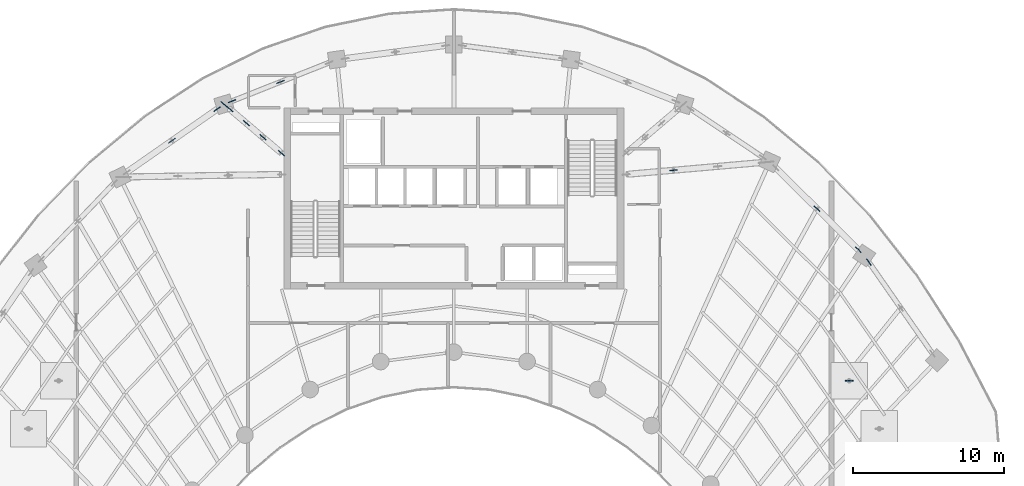
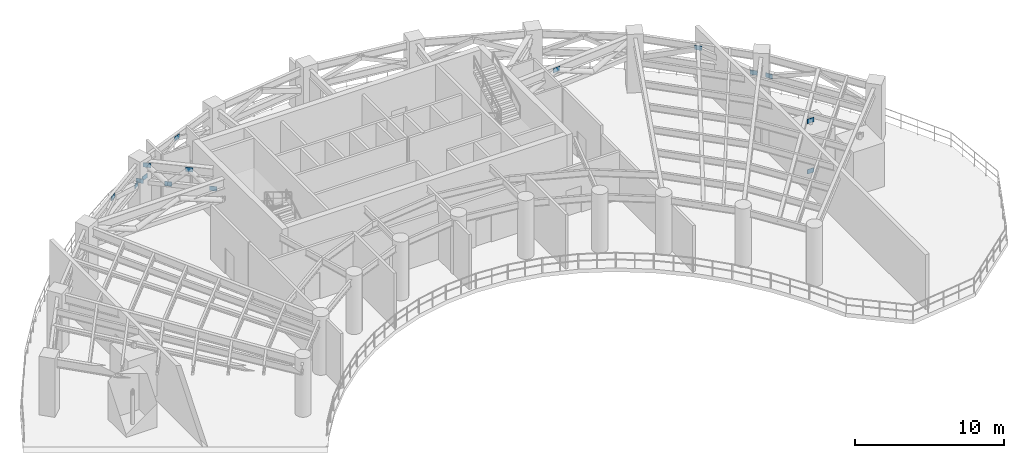
# One storey, part 9 of 24: 15 plates.
"""IFC4 building model written with IfcOpenShell, lengths in metres."""

import ifcopenshell
import ifcopenshell.guid

model = None  # the IFC model being written
_history = None  # IfcOwnerHistory: only IFC2X3 demands one
_inside = {}  # id of a spatial element -> (the spatial element, [elements in it])
_under = {}  # id of a project, library or spatial element -> (it, [spatial elements below it])
_declared = {}  # id of a project -> (the project, [libraries it declares])
_typed = {}  # id of a type object -> (the type object, [elements of that type])
_made_of = {}  # id of a material, layer set ... -> (it, [elements and type objects made of it])


def new_model(schema):
    """Start an empty IFC model of exactly this schema.

    Asked for "IFC4X3", IfcOpenShell would pick the latest addendum, in which some entities
    have other attributes; the version numbers below select the first issue.
    IFC2X3 requires an IfcOwnerHistory on every rooted entity: one is made here for all.
    """
    global model, _history
    if schema == "IFC4X3":
        model = ifcopenshell.file(schema_version=(4, 3, 0, 0))
    else:
        model = ifcopenshell.file(schema=schema)
    _inside.clear()
    _under.clear()
    _declared.clear()
    _typed.clear()
    _made_of.clear()
    _history = None
    if model.schema == "IFC2X3":
        org = make("IfcOrganization", Name="unknown")
        user = make(
            "IfcPersonAndOrganization",
            ThePerson=make("IfcPerson", FamilyName="unknown"),
            TheOrganization=org,
        )
        app = make(
            "IfcApplication",
            ApplicationDeveloper=org,
            Version="unknown",
            ApplicationFullName="unknown",
            ApplicationIdentifier="unknown",
        )
        _history = make(
            "IfcOwnerHistory",
            OwningUser=user,
            OwningApplication=app,
            ChangeAction="ADDED",
            CreationDate=0,
        )
    return model


def make(cls, **values):
    """One entity of the class cls with the attributes given. An attribute that is None is left unset."""
    return model.create_entity(
        cls, **{name: value for name, value in values.items() if value is not None}
    )


def rooted(cls, **values):
    """An entity with a GlobalId (a new one), such as an element, a storey or a relation."""
    return make(cls, GlobalId=ifcopenshell.guid.new(), OwnerHistory=_history, **values)


def si_unit(unit_type, name, prefix=None):
    """IfcSIUnit, for example si_unit("LENGTHUNIT", "METRE", prefix="MILLI")."""
    return make("IfcSIUnit", UnitType=unit_type, Prefix=prefix, Name=name)


def assignment(units):
    """IfcUnitAssignment: the units of a project."""
    return None if units is None else make("IfcUnitAssignment", Units=units)


def point(xyz):
    """IfcCartesianPoint."""
    return None if xyz is None else make("IfcCartesianPoint", Coordinates=xyz)


def direction(xyz):
    """IfcDirection."""
    return None if xyz is None else make("IfcDirection", DirectionRatios=xyz)


def frame(location, z_axis=None, x_axis=None):
    """IfcAxis2Placement3D, a coordinate frame: its origin and axes. An axis left out is left unset."""
    return make(
        "IfcAxis2Placement3D",
        Location=point(location),
        Axis=direction(z_axis),
        RefDirection=direction(x_axis),
    )


def frame_2d(location, x_axis=None):
    """IfcAxis2Placement2D, a coordinate frame in the plane: its origin and x axis."""
    return make(
        "IfcAxis2Placement2D", Location=point(location), RefDirection=direction(x_axis)
    )


def origin():
    """The frame at (0, 0, 0) with its axes left unset."""
    return frame((0.0, 0.0, 0.0))


def origin_2d():
    """The frame at (0, 0) in the plane with its x axis left unset."""
    return frame_2d((0.0, 0.0))


def place(relative_to, where):
    """IfcLocalPlacement: puts the frame where relative to a parent placement (None: the world)."""
    return make(
        "IfcLocalPlacement", PlacementRelTo=relative_to, RelativePlacement=where
    )


def context(
    kind, dimensions, precision=None, world=None, true_north=None, identifier=None
):
    """IfcGeometricRepresentationContext, for example the 3D "Model" context."""
    return make(
        "IfcGeometricRepresentationContext",
        ContextIdentifier=identifier,
        ContextType=kind,
        CoordinateSpaceDimension=dimensions,
        Precision=precision,
        WorldCoordinateSystem=world,
        TrueNorth=true_north,
    )


def subcontext(parent, identifier, kind, view, scale=None):
    """IfcGeometricRepresentationSubContext, for example "Body" below "Model"."""
    return make(
        "IfcGeometricRepresentationSubContext",
        ContextIdentifier=identifier,
        ContextType=kind,
        ParentContext=parent,
        TargetScale=scale,
        TargetView=view,
    )


def project(units=None, contexts=None):
    """IfcProject with its units and contexts."""
    return rooted(
        "IfcProject",
        Name="project",
        RepresentationContexts=contexts,
        UnitsInContext=assignment(units),
    )


def spatial(cls, under=None, at=None, **own):
    """A site, building, storey or space (cls), placed at a placement, below another one or the project."""
    s = rooted(cls, ObjectPlacement=at, **own)
    if under is not None:
        _under.setdefault(under.id(), (under, []))[1].append(s)
    return s


def profile(cls, at=None, kind="AREA", **sizes):
    """A parametric profile (cls). Its sizes go by their IFC names, for example OverallWidth=200.0."""
    return make(cls, ProfileType=kind, Position=at, **sizes)


def rectangle(**sizes):
    """IfcRectangleProfileDef."""
    return profile("IfcRectangleProfileDef", **sizes)


def extrude(swept, where, along, depth):
    """IfcExtrudedAreaSolid: the profile swept, set in the frame where, extruded along a direction by depth."""
    return make(
        "IfcExtrudedAreaSolid",
        SweptArea=swept,
        Position=where,
        ExtrudedDirection=direction(along),
        Depth=depth,
    )


def shape(context_of_items, identifier, shape_type, items):
    """IfcShapeRepresentation: the items that make up one representation, for example the "Body"."""
    return make(
        "IfcShapeRepresentation",
        ContextOfItems=context_of_items,
        RepresentationIdentifier=identifier,
        RepresentationType=shape_type,
        Items=items,
    )


def source(mapping_origin, context_of_items, identifier, shape_type, items):
    """IfcRepresentationMap: a shape defined once, which mapped items show again and again."""
    return make(
        "IfcRepresentationMap",
        MappingOrigin=mapping_origin,
        MappedRepresentation=shape(context_of_items, identifier, shape_type, items),
    )


def transform(
    local_origin,
    x_axis=None,
    y_axis=None,
    z_axis=None,
    scale=None,
    scale2=None,
    scale3=None,
    uniform=True,
):
    """IfcCartesianTransformationOperator3D, or its non-uniform kind. x_axis, y_axis, z_axis: its Axis1, 2, 3."""
    if uniform:
        return make(
            "IfcCartesianTransformationOperator3D",
            Axis1=direction(x_axis),
            Axis2=direction(y_axis),
            LocalOrigin=point(local_origin),
            Scale=scale,
            Axis3=direction(z_axis),
        )
    return make(
        "IfcCartesianTransformationOperator3DnonUniform",
        Axis1=direction(x_axis),
        Axis2=direction(y_axis),
        LocalOrigin=point(local_origin),
        Scale=scale,
        Axis3=direction(z_axis),
        Scale2=scale2,
        Scale3=scale3,
    )


def mapped(mapping_source, mapping_target):
    """IfcMappedItem: shows the shape of a source again, moved by a transform."""
    return make(
        "IfcMappedItem", MappingSource=mapping_source, MappingTarget=mapping_target
    )


def material(Name=None, Category=None):
    """IfcMaterial."""
    return make("IfcMaterial", Name=Name, Category=Category)


def layer(
    of_material, thickness, ventilated=None, Name=None, Category=None, Priority=None
):
    """IfcMaterialLayer: one layer of a wall or slab, of a material (None: an air gap)."""
    return make(
        "IfcMaterialLayer",
        Material=of_material,
        LayerThickness=thickness,
        IsVentilated=ventilated,
        Name=Name,
        Category=Category,
        Priority=Priority,
    )


def layer_set(layers, Name=None):
    """IfcMaterialLayerSet."""
    return make("IfcMaterialLayerSet", MaterialLayers=layers, LayerSetName=Name)


def made_of(thing, what):
    """Note that an element or type object is made of a material, layer set ...; save() writes the relation."""
    if what is not None:
        _made_of.setdefault(what.id(), (what, []))[1].append(thing)
    return thing


def type_object(cls, material=None, **own):
    """A type object (cls), such as IfcWallType, which elements share."""
    return made_of(rooted(cls, **own), material)


def element(
    cls,
    number,
    at=None,
    inside=None,
    cuts=None,
    type_object=None,
    material=None,
    context=None,
    identifier="Body",
    shape_type=None,
    held_by="IfcProductDefinitionShape",
    body=None,
    shapes=None,
    **own,
):
    """One element of the class cls, such as IfcWall. Its Tag is "e" and its number.

    at: its placement. inside: the storey or other place that contains it. cuts: it is an
    opening in that element (IfcRelVoidsElement). A single representation is given by context,
    identifier, shape_type and body (its items); several are given by shapes. held_by: the class
    of the entity that holds the representations. save() writes the other relations.
    """
    e = rooted(cls, Tag="e%d" % number, ObjectPlacement=at, **own)
    if body is not None:
        shapes = [shape(context, identifier, shape_type, body)]
    if shapes is not None:
        e.Representation = make(held_by, Representations=shapes)
    if inside is not None:
        _inside.setdefault(inside.id(), (inside, []))[1].append(e)
    if cuts is not None:
        rooted(
            "IfcRelVoidsElement", RelatingBuildingElement=cuts, RelatedOpeningElement=e
        )
    if type_object is not None:
        _typed.setdefault(type_object.id(), (type_object, []))[1].append(e)
    return made_of(e, material)


def aggregate(whole, parts):
    """IfcRelAggregates: a whole, such as a stair, and the parts it consists of."""
    return rooted("IfcRelAggregates", RelatingObject=whole, RelatedObjects=parts)


def save(model, path):
    """Write the relations noted so far, then the file.

    IfcRelAggregates (storeys below a building ...), IfcRelContainedInSpatialStructure (elements
    in a storey), IfcRelDefinesByType, IfcRelAssociatesMaterial and IfcRelDeclares: one each for
    every whole, place, type object, material and project.
    """
    for whole, parts in _under.values():
        aggregate(whole, parts)
    for where, things in _inside.values():
        rooted(
            "IfcRelContainedInSpatialStructure",
            RelatedElements=things,
            RelatingStructure=where,
        )
    for kind, things in _typed.values():
        rooted("IfcRelDefinesByType", RelatedObjects=things, RelatingType=kind)
    for what, things in _made_of.values():
        rooted("IfcRelAssociatesMaterial", RelatedObjects=things, RelatingMaterial=what)
    for by, libraries in _declared.values():
        rooted("IfcRelDeclares", RelatingContext=by, RelatedDefinitions=libraries)
    model.write(path)


model = new_model("IFC4")

# Units and contexts
model_context = context("Model", 3, precision=1e-05, world=origin(), true_north=direction((0.0, 1.0)))
body_context = subcontext(model_context, "Body", "Model", "MODEL_VIEW")
ifc_project = project(units=[si_unit("LENGTHUNIT", "METRE"), si_unit("AREAUNIT", "SQUARE_METRE"), si_unit("VOLUMEUNIT", "CUBIC_METRE"), si_unit("PLANEANGLEUNIT", "RADIAN"), si_unit("MASSUNIT", "GRAM", prefix="KILO")], contexts=[model_context])

# Site, building, storey
site_placement = place(None, origin())
site = spatial("IfcSite", under=ifc_project, at=site_placement, CompositionType="ELEMENT")
building_placement = place(site_placement, origin())
building = spatial("IfcBuilding", under=site, at=building_placement, Name="Breltana Convention Tower", CompositionType="ELEMENT")
storey_placement = place(building_placement, frame((0.0, 0.0, 189.60009765625)))
storey = spatial("IfcBuildingStorey", under=building, at=storey_placement, Name="L46", CompositionType="ELEMENT", Elevation=189.60009765625)

# Plates
ifc_material = material(Name="Steel S355", Category="steel")
ifc_layer = layer(ifc_material, 0.0400390625, Name="Steel S355")
ifc_layer_set = layer_set([ifc_layer], Name="Steel S355")
plate_type = type_object("IfcPlateType", Name="PL-GUSSET-40", PredefinedType="USERDEFINED", material=ifc_layer_set)
shared_shape = source(origin(), body_context, "Body", "SweptSolid", [
    extrude(rectangle(XDim=0.52001953125, YDim=0.0400390625, at=origin_2d()), origin(), (0.0, 0.0, 1.0), 0.360107421875),
])
for number, where, z_axis, x_axis, name in (
    (1, (36.60009765625, 69.199951171875, 2.56982421875), (0.0, 0.0, 1.0), (-0.761425177676, 0.648252804699, 0.0), "L46 Structural Brace Node Gusset Plate 006"),
    (2, (32.791015625, 72.4423828125, 2.56982421875), (0.0, 0.0, 1.0), (-0.761425177676, 0.648252804699, 0.0), "L46 Structural Brace Node Gusset Plate 007"),
    (3, (35.355712890625, 70.25927734375, 3.91357421875), (0.0, 0.0, 1.0), (-0.761425177676, 0.648252804699, 0.0), "L46 Structural Brace Node Gusset Plate 008"),
    (4, (34.263671875, 71.188720703125, 2.56982421875), (0.0, 0.0, 1.0), (-0.761425177676, 0.648252804699, 0.0), "L46 Structural Brace Node Gusset Plate 009"),
    (5, (33.171630859375, 72.118408203125, 3.91357421875), (0.0, 0.0, 1.0), (-0.761425177676, 0.648252804699, 0.0), "L46 Structural Brace Node Gusset Plate 010"),
    (6, (62.537109375, 68.074951171875, 3.91357421875), (0.0, 0.0, 1.0), (0.996179471372, 0.087329610194, 0.0), "L46 Structural Brace Node Gusset Plate 018"),
    (7, (29.33935546875, 70.034912109375, 3.91357421875), (0.0, 0.0, 1.0), (0.820151875874, 0.572145873446, 0.0), "L46 Structural Brace Node Gusset Plate 028"),
    (8, (32.33984375, 72.127685546875, 2.56982421875), (0.0, 0.0, 1.0), (0.820151875874, 0.572145873446, 0.0), "L46 Structural Brace Node Gusset Plate 029"),
    (9, (33.30224609375, 72.6455078125, 2.56982421875), (0.0, 0.0, 1.0), (0.929454882621, 0.36893579546, 0.0), "L46 Structural Brace Node Gusset Plate 030"),
    (10, (36.522216796875, 73.923583984375, 3.91357421875), (0.0, 0.0, 1.0), (0.929454882621, 0.36893579546, 0.0), "L46 Structural Brace Node Gusset Plate 031"),
    (11, (72.03857421875, 65.53173828125, 3.91357421875), (0.0, 0.0, 1.0), (0.710062491058, -0.704138664464, 0.0), "L46 Structural Brace Node Gusset Plate 046"),
    (12, (74.776123046875, 62.8173828125, 2.56982421875), (0.0, 0.0, 1.0), (0.710062491058, -0.704138664464, 0.0), "L46 Structural Brace Node Gusset Plate 047"),
    (13, (75.48095703125, 61.978759765625, 2.56982421875), (0.0, 0.0, 1.0), (0.571143442153, -0.820850271661, 0.0), "L46 Structural Brace Node Gusset Plate 048"),
    (14, (74.17333984375, 54.1376953125, 0.0), (0.0, 0.0, 1.0), (1.0, 0.0, 0.0), "L46 Structural Brace Node Gusset Plate 055"),
    (15, (74.17333984375, 54.1376953125, 4.11962890625), (0.0, 0.0, 1.0), (1.0, 0.0, 0.0), "L46 Structural Brace Node Gusset Plate 056"),
):
    element("IfcPlate", number, at=place(storey_placement, frame(where, z_axis=z_axis, x_axis=x_axis)), inside=storey, type_object=plate_type, Name=name, ObjectType="GUSSET_PLATE", PredefinedType="USERDEFINED", context=body_context, shape_type="MappedRepresentation", body=[
        mapped(shared_shape, transform((0.0, 0.0, 0.0), scale=1.0)),
    ])

save(model, "model.ifc")
